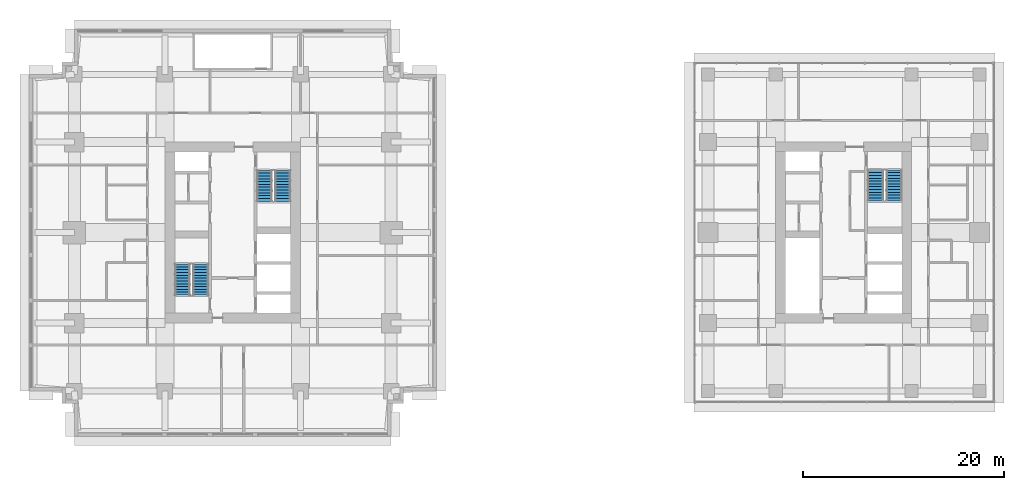
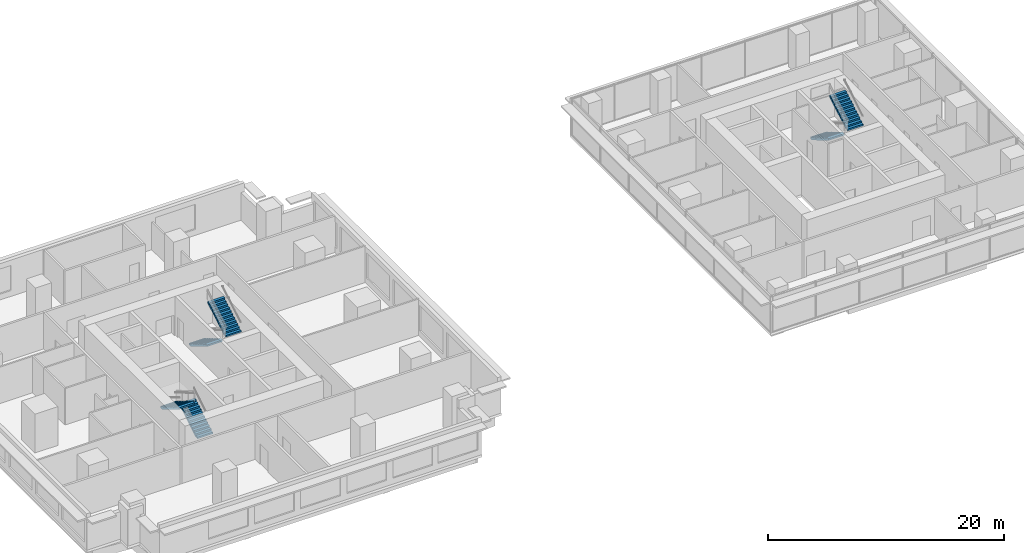
# One storey, part 12 of 14: 6 stair flights, 3 elements without a shape of their own.
"""IFC4 building model written with IfcOpenShell, lengths in metres."""

from ifc_helpers import new_model, si_unit, direction, frame, origin, place, context, subcontext, project, spatial, polyline, outline, extrude, material, type_object, element, aggregate, save


model = new_model("IFC4")

# Units and contexts
model_context = context("Model", 3, precision=1e-05, world=origin(), true_north=direction((0.0, 1.0)))
body_context = subcontext(model_context, "Body", "Model", "MODEL_VIEW")
ifc_project = project(units=[si_unit("LENGTHUNIT", "METRE"), si_unit("AREAUNIT", "SQUARE_METRE"), si_unit("VOLUMEUNIT", "CUBIC_METRE"), si_unit("PLANEANGLEUNIT", "RADIAN"), si_unit("MASSUNIT", "GRAM", prefix="KILO")], contexts=[model_context])

# Site, building, storey
site_placement = place(None, origin())
site = spatial("IfcSite", under=ifc_project, at=site_placement, CompositionType="ELEMENT")
building_placement = place(site_placement, origin())
building = spatial("IfcBuilding", under=site, at=building_placement, Name="Namib Vertical Campus", CompositionType="ELEMENT")
storey_placement = place(building_placement, frame((0.0, 0.0, 233.0)))
storey = spatial("IfcBuildingStorey", under=building, at=storey_placement, Name="L55", CompositionType="ELEMENT", Elevation=233.0)

# Stair, stair flights
ifc_material_1 = material(Name="Concrete C40/50 precast", Category="concrete")
stair_type_1 = type_object("IfcStairType", Name="Exit stair 4000 rise 24 risers 3350 wide", PredefinedType="HALF_TURN_STAIR", material=ifc_material_1)
stair_1_placement = place(storey_placement, origin())
stair_1 = element("IfcStair", 1, at=stair_1_placement, inside=storey, type_object=stair_type_1, Name="Exit stair A-S1 L55", PredefinedType="HALF_TURN_STAIR")
ifc_material_2 = material(Name="Concrete C40/50 precast", Category="concrete")
stair_flight_type_1 = type_object("IfcStairFlightType", Name="Stair flight 12 risers 167 1525 wide", PredefinedType="STRAIGHT", material=ifc_material_2)
stair_flight_1_placement = place(storey_placement, frame((17.08740234375, 14.050048828125, 0.0), z_axis=(0.0, 0.0, 1.0), x_axis=(0.0, 1.0, 0.0)))
stair_flight_1 = element("IfcStairFlight", 2, at=stair_flight_1_placement, type_object=stair_flight_type_1, Name="A-S1 flight 1", NumberOfRisers=12, NumberOfTreads=11, PredefinedType="STRAIGHT", RiserHeight=0.166666667, TreadLength=0.28, context=body_context, shape_type="SweptSolid", body=[
    extrude(outline(polyline([(0.0, 0.0), (0.0, 0.166748046875), (0.280029296875, 0.166748046875), (0.280029296875, 0.333251953125), (0.56005859375, 0.333251953125), (0.56005859375, 0.5), (0.840087890625, 0.5), (0.840087890625, 0.666748046875), (1.1201171875, 0.666748046875), (1.1201171875, 0.833251953125), (1.39990234375, 0.833251953125), (1.39990234375, 1.0), (1.679931640625, 1.0), (1.679931640625, 1.166748046875), (1.9599609375, 1.166748046875), (1.9599609375, 1.333251953125), (2.239990234375, 1.333251953125), (2.239990234375, 1.5), (2.52001953125, 1.5), (2.52001953125, 1.666748046875), (2.800048828125, 1.666748046875), (2.800048828125, 1.833251953125), (3.080078125, 1.833251953125), (3.080078125, 2.0), (3.080078125, 1.658935546875), (0.29296875, 0.0), (0.0, 0.0)])), frame((0.0, 0.762451171875, 0.0), z_axis=(0.0, -1.0, 0.0), x_axis=(1.0, 0.0, 0.0)), (0.0, 0.0, 1.0), 1.52490234375),
])
stair_flight_2_placement = place(storey_placement, frame((15.262451171875, 17.1298828125, 2.0), z_axis=(0.0, 0.0, 1.0), x_axis=(0.0, -1.0, 0.0)))
stair_flight_2 = element("IfcStairFlight", 3, at=stair_flight_2_placement, type_object=stair_flight_type_1, Name="A-S1 flight 2", NumberOfRisers=12, NumberOfTreads=11, PredefinedType="STRAIGHT", RiserHeight=0.166666667, TreadLength=0.28, context=body_context, shape_type="SweptSolid", body=[
    extrude(outline(polyline([(0.0, 0.0), (0.0, 0.166748046875), (0.280029296875, 0.166748046875), (0.280029296875, 0.333251953125), (0.56005859375, 0.333251953125), (0.56005859375, 0.5), (0.840087890625, 0.5), (0.840087890625, 0.666748046875), (1.1201171875, 0.666748046875), (1.1201171875, 0.833251953125), (1.39990234375, 0.833251953125), (1.39990234375, 1.0), (1.679931640625, 1.0), (1.679931640625, 1.166748046875), (1.9599609375, 1.166748046875), (1.9599609375, 1.333251953125), (2.239990234375, 1.333251953125), (2.239990234375, 1.5), (2.52001953125, 1.5), (2.52001953125, 1.666748046875), (2.800048828125, 1.666748046875), (2.800048828125, 1.833251953125), (3.080078125, 1.833251953125), (3.080078125, 2.0), (3.080078125, 1.658935546875), (0.29296875, 0.0), (0.0, 0.0)])), frame((0.0, 0.762451171875, 0.0), z_axis=(0.0, -1.0, 0.0), x_axis=(1.0, 0.0, 0.0)), (0.0, 0.0, 1.0), 1.52490234375),
])
aggregate(stair_1, [stair_flight_1, stair_flight_2])

stair_2_placement = place(storey_placement, origin())
stair_2 = element("IfcStair", 4, at=stair_2_placement, inside=storey, type_object=stair_type_1, Name="Exit stair A-S2 L55", PredefinedType="HALF_TURN_STAIR")
stair_flight_3_placement = place(storey_placement, frame((23.41259765625, 26.449951171875, 0.0), z_axis=(0.0, 0.0, 1.0), x_axis=(0.0, -1.0, 0.0)))
stair_flight_3 = element("IfcStairFlight", 5, at=stair_flight_3_placement, type_object=stair_flight_type_1, Name="A-S2 flight 1", NumberOfRisers=12, NumberOfTreads=11, PredefinedType="STRAIGHT", RiserHeight=0.166666667, TreadLength=0.28, context=body_context, shape_type="SweptSolid", body=[
    extrude(outline(polyline([(0.0, 0.0), (0.0, 0.166748046875), (0.280029296875, 0.166748046875), (0.280029296875, 0.333251953125), (0.56005859375, 0.333251953125), (0.56005859375, 0.5), (0.840087890625, 0.5), (0.840087890625, 0.666748046875), (1.1201171875, 0.666748046875), (1.1201171875, 0.833251953125), (1.39990234375, 0.833251953125), (1.39990234375, 1.0), (1.679931640625, 1.0), (1.679931640625, 1.166748046875), (1.9599609375, 1.166748046875), (1.9599609375, 1.333251953125), (2.239990234375, 1.333251953125), (2.239990234375, 1.5), (2.52001953125, 1.5), (2.52001953125, 1.666748046875), (2.800048828125, 1.666748046875), (2.800048828125, 1.833251953125), (3.080078125, 1.833251953125), (3.080078125, 2.0), (3.080078125, 1.658935546875), (0.29296875, 0.0), (0.0, 0.0)])), frame((0.0, 0.762451171875, 0.0), z_axis=(0.0, -1.0, 0.0), x_axis=(1.0, 0.0, 0.0)), (0.0, 0.0, 1.0), 1.52490234375),
])
stair_flight_4_placement = place(storey_placement, frame((25.237548828125, 23.3701171875, 2.0), z_axis=(0.0, 0.0, 1.0), x_axis=(0.0, 1.0, 0.0)))
stair_flight_4 = element("IfcStairFlight", 6, at=stair_flight_4_placement, type_object=stair_flight_type_1, Name="A-S2 flight 2", NumberOfRisers=12, NumberOfTreads=11, PredefinedType="STRAIGHT", RiserHeight=0.166666667, TreadLength=0.28, context=body_context, shape_type="SweptSolid", body=[
    extrude(outline(polyline([(0.0, 0.0), (0.0, 0.166748046875), (0.280029296875, 0.166748046875), (0.280029296875, 0.333251953125), (0.56005859375, 0.333251953125), (0.56005859375, 0.5), (0.840087890625, 0.5), (0.840087890625, 0.666748046875), (1.1201171875, 0.666748046875), (1.1201171875, 0.833251953125), (1.39990234375, 0.833251953125), (1.39990234375, 1.0), (1.679931640625, 1.0), (1.679931640625, 1.166748046875), (1.9599609375, 1.166748046875), (1.9599609375, 1.333251953125), (2.239990234375, 1.333251953125), (2.239990234375, 1.5), (2.52001953125, 1.5), (2.52001953125, 1.666748046875), (2.800048828125, 1.666748046875), (2.800048828125, 1.833251953125), (3.080078125, 1.833251953125), (3.080078125, 2.0), (3.080078125, 1.658935546875), (0.29296875, 0.0), (0.0, 0.0)])), frame((0.0, 0.762451171875, 0.0), z_axis=(0.0, -1.0, 0.0), x_axis=(1.0, 0.0, 0.0)), (0.0, 0.0, 1.0), 1.52490234375),
])
aggregate(stair_2, [stair_flight_3, stair_flight_4])

ifc_material_3 = material(Name="Concrete C40/50 precast", Category="concrete")
stair_type_2 = type_object("IfcStairType", Name="Exit stair 4000 rise 24 risers 3400 wide", PredefinedType="HALF_TURN_STAIR", material=ifc_material_3)
stair_3_placement = place(storey_placement, origin())
stair_3 = element("IfcStair", 7, at=stair_3_placement, inside=storey, type_object=stair_type_2, Name="Exit stair B-S2 L55", PredefinedType="HALF_TURN_STAIR")
ifc_material_4 = material(Name="Concrete C40/50 precast", Category="concrete")
stair_flight_type_2 = type_object("IfcStairFlightType", Name="Stair flight 12 risers 167 1550 wide", PredefinedType="STRAIGHT", material=ifc_material_4)
stair_flight_5_placement = place(storey_placement, frame((84.175048828125, 26.5, 0.0), z_axis=(0.0, 0.0, 1.0), x_axis=(0.0, -1.0, 0.0)))
stair_flight_5 = element("IfcStairFlight", 8, at=stair_flight_5_placement, type_object=stair_flight_type_2, Name="B-S2 flight 1", NumberOfRisers=12, NumberOfTreads=11, PredefinedType="STRAIGHT", RiserHeight=0.166666667, TreadLength=0.28, context=body_context, shape_type="SweptSolid", body=[
    extrude(outline(polyline([(0.0, 0.0), (0.0, 0.166748046875), (0.280029296875, 0.166748046875), (0.280029296875, 0.333251953125), (0.56005859375, 0.333251953125), (0.56005859375, 0.5), (0.840087890625, 0.5), (0.840087890625, 0.666748046875), (1.1201171875, 0.666748046875), (1.1201171875, 0.833251953125), (1.39990234375, 0.833251953125), (1.39990234375, 1.0), (1.679931640625, 1.0), (1.679931640625, 1.166748046875), (1.9599609375, 1.166748046875), (1.9599609375, 1.333251953125), (2.239990234375, 1.333251953125), (2.239990234375, 1.5), (2.52001953125, 1.5), (2.52001953125, 1.666748046875), (2.800048828125, 1.666748046875), (2.800048828125, 1.833251953125), (3.080078125, 1.833251953125), (3.080078125, 2.0), (3.080078125, 1.658935546875), (0.29296875, 0.0), (0.0, 0.0)])), frame((0.0, 0.77490234375, 0.0), z_axis=(0.0, -1.0, 0.0), x_axis=(1.0, 0.0, 0.0)), (0.0, 0.0, 1.0), 1.550048828125),
])
stair_flight_6_placement = place(storey_placement, frame((86.02490234375, 23.419921875, 2.0), z_axis=(0.0, 0.0, 1.0), x_axis=(0.0, 1.0, 0.0)))
stair_flight_6 = element("IfcStairFlight", 9, at=stair_flight_6_placement, type_object=stair_flight_type_2, Name="B-S2 flight 2", NumberOfRisers=12, NumberOfTreads=11, PredefinedType="STRAIGHT", RiserHeight=0.166666667, TreadLength=0.28, context=body_context, shape_type="SweptSolid", body=[
    extrude(outline(polyline([(0.0, 0.0), (0.0, 0.166748046875), (0.280029296875, 0.166748046875), (0.280029296875, 0.333251953125), (0.56005859375, 0.333251953125), (0.56005859375, 0.5), (0.840087890625, 0.5), (0.840087890625, 0.666748046875), (1.1201171875, 0.666748046875), (1.1201171875, 0.833251953125), (1.39990234375, 0.833251953125), (1.39990234375, 1.0), (1.679931640625, 1.0), (1.679931640625, 1.166748046875), (1.9599609375, 1.166748046875), (1.9599609375, 1.333251953125), (2.239990234375, 1.333251953125), (2.239990234375, 1.5), (2.52001953125, 1.5), (2.52001953125, 1.666748046875), (2.800048828125, 1.666748046875), (2.800048828125, 1.833251953125), (3.080078125, 1.833251953125), (3.080078125, 2.0), (3.080078125, 1.658935546875), (0.29296875, 0.0), (0.0, 0.0)])), frame((0.0, 0.77490234375, 0.0), z_axis=(0.0, -1.0, 0.0), x_axis=(1.0, 0.0, 0.0)), (0.0, 0.0, 1.0), 1.550048828125),
])
aggregate(stair_3, [stair_flight_5, stair_flight_6])

save(model, "model.ifc")
